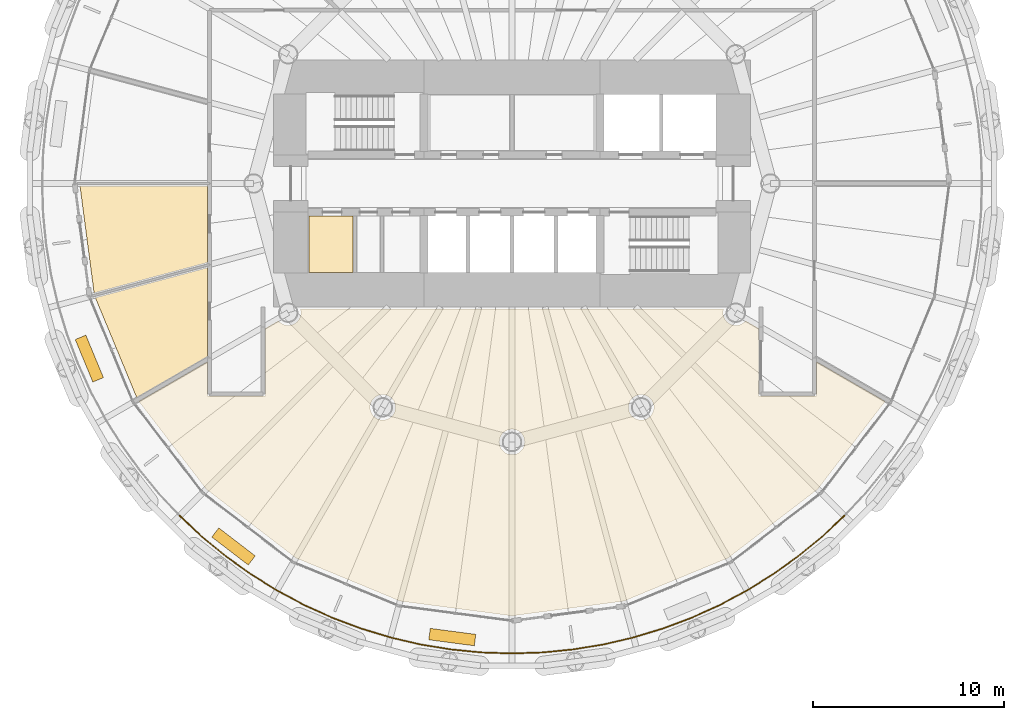
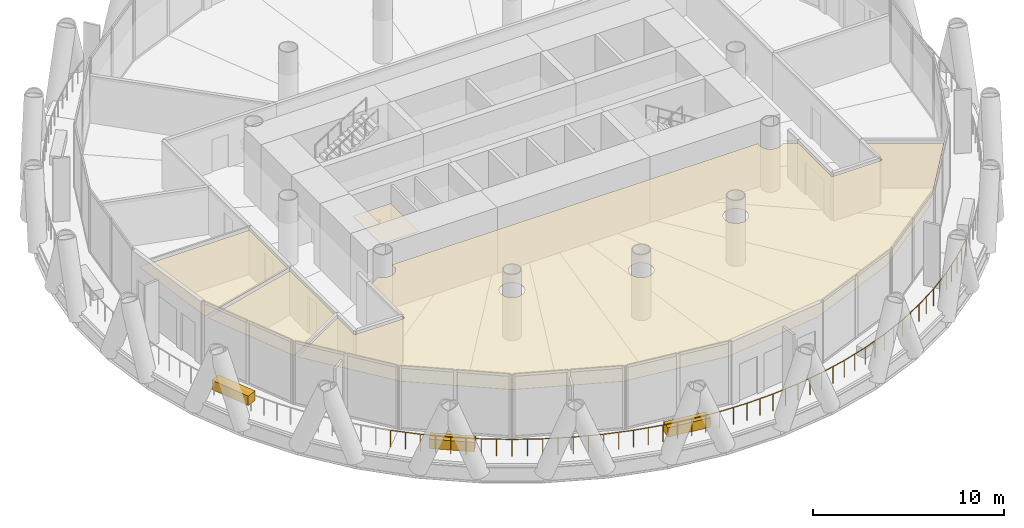
# One storey, part 12 of 15: 7 coverings, 1 railing.
"""IFC4 building model written with IfcOpenShell, lengths in metres."""

from ifc_helpers import new_model, si_unit, direction, frame, origin, origin_2d, place, context, subcontext, project, spatial, polyline, rectangle, circle, outline, extrude, material, layer, layer_set, type_object, element, save


model = new_model("IFC4")

# Units and contexts
model_context = context("Model", 3, precision=1e-05, world=origin(), true_north=direction((0.0, 1.0)))
body_context = subcontext(model_context, "Body", "Model", "MODEL_VIEW")
ifc_project = project(units=[si_unit("LENGTHUNIT", "METRE"), si_unit("AREAUNIT", "SQUARE_METRE"), si_unit("VOLUMEUNIT", "CUBIC_METRE"), si_unit("PLANEANGLEUNIT", "RADIAN"), si_unit("MASSUNIT", "GRAM", prefix="KILO")], contexts=[model_context])

# Site, building, storey
site_placement = place(None, origin())
site = spatial("IfcSite", under=ifc_project, at=site_placement, CompositionType="ELEMENT")
building_placement = place(site_placement, origin())
building = spatial("IfcBuilding", under=site, at=building_placement, Name="Qaws Media Tower", CompositionType="ELEMENT")
storey_placement = place(building_placement, frame((0.0, 0.0, 114.199951171875)))
storey = spatial("IfcBuildingStorey", under=building, at=storey_placement, Name="L25", CompositionType="ELEMENT", Elevation=114.199951171875)

# Railing
ifc_material_1 = material(Name="Stainless steel and glass guard", Category="steel")
railing_type = type_object("IfcRailingType", Name="Balcony guard 1100", PredefinedType="GUARDRAIL", material=ifc_material_1)
railing_placement = place(storey_placement, frame((42.640625, 32.640625, 0.0)))
element("IfcRailing", 1, at=railing_placement, inside=storey, type_object=railing_type, Name="GR1 balcony guard L25-3", PredefinedType="GUARDRAIL", context=body_context, shape_type="SweptSolid", body=[
    extrude(circle(Radius=0.02392578125, at=origin_2d()), frame((0.0, 0.0, 1.076171875), z_axis=(0.729755168358, -0.683708559442, 0.0), x_axis=(0.683708559442, 0.729755168358, 0.0)), (0.0, 0.0, 1.0), 1.6064453125),
    extrude(circle(Radius=0.02392578125, at=origin_2d()), frame((1.17236328125, -1.098388671875, 1.076171875), z_axis=(0.773069548835, -0.634321269282, 0.0), x_axis=(0.634321269282, 0.773069548835, 0.0)), (0.0, 0.0, 1.0), 1.6064453125),
    extrude(circle(Radius=0.02392578125, at=origin_2d()), frame((2.414306640625, -2.117431640625, 1.076171875), z_axis=(0.812849504538, -0.582473761618, 0.0), x_axis=(0.582473761618, 0.812849504538, 0.0)), (0.0, 0.0, 1.0), 1.606689453125),
    extrude(circle(Radius=0.02392578125, at=origin_2d()), frame((3.72021484375, -3.05322265625, 1.076171875), z_axis=(0.849191393384, -0.528085199, 0.0), x_axis=(0.528085199, 0.849191393384, 0.0)), (0.0, 0.0, 1.0), 1.6064453125),
    extrude(circle(Radius=0.02392578125, at=origin_2d()), frame((5.08447265625, -3.901611328125, 1.076171875), z_axis=(0.881906613636, -0.471424145356, 0.0), x_axis=(0.471424145356, 0.881906613636, 0.0)), (0.0, 0.0, 1.0), 1.6064453125),
    extrude(circle(Radius=0.02392578125, at=origin_2d()), frame((6.501220703125, -4.658935546875, 1.076171875), z_axis=(0.910912153474, -0.412600349797, 0.0), x_axis=(0.412600349797, 0.910912153474, 0.0)), (0.0, 0.0, 1.0), 1.6064453125),
    extrude(circle(Radius=0.02392578125, at=origin_2d()), frame((7.964599609375, -5.32177734375, 1.076171875), z_axis=(0.935891249728, -0.352289041388, 0.0), x_axis=(0.352289041388, 0.935891249728, 0.0)), (0.0, 0.0, 1.0), 1.6064453125),
    extrude(circle(Radius=0.02392578125, at=origin_2d()), frame((9.468017578125, -5.8876953125, 1.076171875), z_axis=(0.956947683594, -0.290260453496, 0.0), x_axis=(0.290260453496, 0.956947683594, 0.0)), (0.0, 0.0, 1.0), 1.6064453125),
    extrude(circle(Radius=0.02392578125, at=origin_2d()), frame((11.00537109375, -6.35400390625, 1.076171875), z_axis=(0.973847935236, -0.227200790134, 0.0), x_axis=(0.227200790134, 0.973847935236, 0.0)), (0.0, 0.0, 1.0), 1.6064453125),
    extrude(circle(Radius=0.02392578125, at=origin_2d()), frame((12.56982421875, -6.718994140625, 1.076171875), z_axis=(0.986643298836, -0.162895674781, 0.0), x_axis=(0.162895674781, 0.986643298836, 0.0)), (0.0, 0.0, 1.0), 1.606689453125),
    extrude(circle(Radius=0.02392578125, at=origin_2d()), frame((14.155029296875, -6.980712890625, 1.076171875), z_axis=(0.995183565926, -0.098028924866, 0.0), x_axis=(0.098028924866, 0.995183565926, 0.0)), (0.0, 0.0, 1.0), 1.6064453125),
    extrude(circle(Radius=0.02392578125, at=origin_2d()), frame((15.753662109375, -7.13818359375, 1.076171875), z_axis=(0.999466120383, -0.032672223792, 0.0), x_axis=(0.032672223792, 0.999466120383, 0.0)), (0.0, 0.0, 1.0), 1.606689453125),
    extrude(circle(Radius=0.02392578125, at=origin_2d()), frame((17.359375, -7.190673828125, 1.076171875), z_axis=(0.999466120383, 0.032672223792, 0.0), x_axis=(-0.032672223792, 0.999466120383, 0.0)), (0.0, 0.0, 1.0), 1.606689453125),
    extrude(circle(Radius=0.02392578125, at=origin_2d()), frame((18.965087890625, -7.13818359375, 1.076171875), z_axis=(0.995183565926, 0.098028924866, 0.0), x_axis=(-0.098028924866, 0.995183565926, 0.0)), (0.0, 0.0, 1.0), 1.6064453125),
    extrude(circle(Radius=0.02392578125, at=origin_2d()), frame((20.563720703125, -6.980712890625, 1.076171875), z_axis=(0.986643298836, 0.162895674781, 0.0), x_axis=(-0.162895674781, 0.986643298836, 0.0)), (0.0, 0.0, 1.0), 1.606689453125),
    extrude(circle(Radius=0.02392578125, at=origin_2d()), frame((22.14892578125, -6.718994140625, 1.076171875), z_axis=(0.973847935236, 0.227200790134, 0.0), x_axis=(-0.227200790134, 0.973847935236, 0.0)), (0.0, 0.0, 1.0), 1.6064453125),
    extrude(circle(Radius=0.02392578125, at=origin_2d()), frame((23.71337890625, -6.35400390625, 1.076171875), z_axis=(0.956947683594, 0.290260453496, 0.0), x_axis=(-0.290260453496, 0.956947683594, 0.0)), (0.0, 0.0, 1.0), 1.6064453125),
    extrude(circle(Radius=0.02392578125, at=origin_2d()), frame((25.250732421875, -5.8876953125, 1.076171875), z_axis=(0.935891249728, 0.352289041388, 0.0), x_axis=(-0.352289041388, 0.935891249728, 0.0)), (0.0, 0.0, 1.0), 1.6064453125),
    extrude(circle(Radius=0.02392578125, at=origin_2d()), frame((26.754150390625, -5.32177734375, 1.076171875), z_axis=(0.910912153474, 0.412600349797, 0.0), x_axis=(-0.412600349797, 0.910912153474, 0.0)), (0.0, 0.0, 1.0), 1.6064453125),
    extrude(circle(Radius=0.02392578125, at=origin_2d()), frame((28.217529296875, -4.658935546875, 1.076171875), z_axis=(0.881906613636, 0.471424145356, 0.0), x_axis=(-0.471424145356, 0.881906613636, 0.0)), (0.0, 0.0, 1.0), 1.6064453125),
    extrude(circle(Radius=0.02392578125, at=origin_2d()), frame((29.63427734375, -3.901611328125, 1.076171875), z_axis=(0.849191393384, 0.528085199, 0.0), x_axis=(-0.528085199, 0.849191393384, 0.0)), (0.0, 0.0, 1.0), 1.6064453125),
    extrude(circle(Radius=0.02392578125, at=origin_2d()), frame((30.99853515625, -3.05322265625, 1.076171875), z_axis=(0.812849504538, 0.582473761618, 0.0), x_axis=(-0.582473761618, 0.812849504538, 0.0)), (0.0, 0.0, 1.0), 1.606689453125),
    extrude(circle(Radius=0.02392578125, at=origin_2d()), frame((32.304443359375, -2.117431640625, 1.076171875), z_axis=(0.773069548835, 0.634321269282, 0.0), x_axis=(-0.634321269282, 0.773069548835, 0.0)), (0.0, 0.0, 1.0), 1.6064453125),
    extrude(circle(Radius=0.02392578125, at=origin_2d()), frame((33.54638671875, -1.098388671875, 1.076171875), z_axis=(0.729755168358, 0.683708559442, 0.0), x_axis=(-0.683708559442, 0.729755168358, 0.0)), (0.0, 0.0, 1.0), 1.6064453125),
    extrude(circle(Radius=0.02099609375, at=origin_2d()), origin(), (0.0, 0.0, 1.0), 1.052001953125),
    extrude(circle(Radius=0.02099609375, at=origin_2d()), frame((0.586181640625, -0.54931640625, 0.0)), (0.0, 0.0, 1.0), 1.052001953125),
    extrude(circle(Radius=0.02099609375, at=origin_2d()), frame((1.17236328125, -1.098388671875, 0.0)), (0.0, 0.0, 1.0), 1.052001953125),
    extrude(circle(Radius=0.02099609375, at=origin_2d()), frame((1.79345703125, -1.60791015625, 0.0)), (0.0, 0.0, 1.0), 1.052001953125),
    extrude(circle(Radius=0.02099609375, at=origin_2d()), frame((2.414306640625, -2.117431640625, 0.0)), (0.0, 0.0, 1.0), 1.052001953125),
    extrude(circle(Radius=0.02099609375, at=origin_2d()), frame((3.0673828125, -2.58544921875, 0.0)), (0.0, 0.0, 1.0), 1.052001953125),
    extrude(circle(Radius=0.02099609375, at=origin_2d()), frame((3.72021484375, -3.05322265625, 0.0)), (0.0, 0.0, 1.0), 1.052001953125),
    extrude(circle(Radius=0.02099609375, at=origin_2d()), frame((4.40234375, -3.4775390625, 0.0)), (0.0, 0.0, 1.0), 1.052001953125),
    extrude(circle(Radius=0.02099609375, at=origin_2d()), frame((5.08447265625, -3.901611328125, 0.0)), (0.0, 0.0, 1.0), 1.052001953125),
    extrude(circle(Radius=0.02099609375, at=origin_2d()), frame((5.79296875, -4.2802734375, 0.0)), (0.0, 0.0, 1.0), 1.052001953125),
    extrude(circle(Radius=0.02099609375, at=origin_2d()), frame((6.501220703125, -4.658935546875, 0.0)), (0.0, 0.0, 1.0), 1.052001953125),
    extrude(circle(Radius=0.02099609375, at=origin_2d()), frame((7.23291015625, -4.990234375, 0.0)), (0.0, 0.0, 1.0), 1.052001953125),
    extrude(circle(Radius=0.02099609375, at=origin_2d()), frame((7.964599609375, -5.32177734375, 0.0)), (0.0, 0.0, 1.0), 1.052001953125),
    extrude(circle(Radius=0.02099609375, at=origin_2d()), frame((8.71630859375, -5.604736328125, 0.0)), (0.0, 0.0, 1.0), 1.052001953125),
    extrude(circle(Radius=0.02099609375, at=origin_2d()), frame((9.468017578125, -5.8876953125, 0.0)), (0.0, 0.0, 1.0), 1.052001953125),
    extrude(circle(Radius=0.02099609375, at=origin_2d()), frame((10.23681640625, -6.120849609375, 0.0)), (0.0, 0.0, 1.0), 1.052001953125),
    extrude(circle(Radius=0.02099609375, at=origin_2d()), frame((11.00537109375, -6.35400390625, 0.0)), (0.0, 0.0, 1.0), 1.052001953125),
    extrude(circle(Radius=0.02099609375, at=origin_2d()), frame((11.78759765625, -6.53662109375, 0.0)), (0.0, 0.0, 1.0), 1.052001953125),
    extrude(circle(Radius=0.02099609375, at=origin_2d()), frame((12.56982421875, -6.718994140625, 0.0)), (0.0, 0.0, 1.0), 1.052001953125),
    extrude(circle(Radius=0.02099609375, at=origin_2d()), frame((13.3623046875, -6.849853515625, 0.0)), (0.0, 0.0, 1.0), 1.052001953125),
    extrude(circle(Radius=0.02099609375, at=origin_2d()), frame((14.155029296875, -6.980712890625, 0.0)), (0.0, 0.0, 1.0), 1.052001953125),
    extrude(circle(Radius=0.02099609375, at=origin_2d()), frame((14.954345703125, -7.0595703125, 0.0)), (0.0, 0.0, 1.0), 1.052001953125),
    extrude(circle(Radius=0.02099609375, at=origin_2d()), frame((15.753662109375, -7.13818359375, 0.0)), (0.0, 0.0, 1.0), 1.052001953125),
    extrude(circle(Radius=0.02099609375, at=origin_2d()), frame((16.556640625, -7.16455078125, 0.0)), (0.0, 0.0, 1.0), 1.052001953125),
    extrude(circle(Radius=0.02099609375, at=origin_2d()), frame((17.359375, -7.190673828125, 0.0)), (0.0, 0.0, 1.0), 1.052001953125),
    extrude(circle(Radius=0.02099609375, at=origin_2d()), frame((18.162109375, -7.16455078125, 0.0)), (0.0, 0.0, 1.0), 1.052001953125),
    extrude(circle(Radius=0.02099609375, at=origin_2d()), frame((18.965087890625, -7.13818359375, 0.0)), (0.0, 0.0, 1.0), 1.052001953125),
    extrude(circle(Radius=0.02099609375, at=origin_2d()), frame((19.764404296875, -7.0595703125, 0.0)), (0.0, 0.0, 1.0), 1.052001953125),
    extrude(circle(Radius=0.02099609375, at=origin_2d()), frame((20.563720703125, -6.980712890625, 0.0)), (0.0, 0.0, 1.0), 1.052001953125),
    extrude(circle(Radius=0.02099609375, at=origin_2d()), frame((21.3564453125, -6.849853515625, 0.0)), (0.0, 0.0, 1.0), 1.052001953125),
    extrude(circle(Radius=0.02099609375, at=origin_2d()), frame((22.14892578125, -6.718994140625, 0.0)), (0.0, 0.0, 1.0), 1.052001953125),
    extrude(circle(Radius=0.02099609375, at=origin_2d()), frame((22.93115234375, -6.53662109375, 0.0)), (0.0, 0.0, 1.0), 1.052001953125),
    extrude(circle(Radius=0.02099609375, at=origin_2d()), frame((23.71337890625, -6.35400390625, 0.0)), (0.0, 0.0, 1.0), 1.052001953125),
    extrude(circle(Radius=0.02099609375, at=origin_2d()), frame((24.48193359375, -6.120849609375, 0.0)), (0.0, 0.0, 1.0), 1.052001953125),
    extrude(circle(Radius=0.02099609375, at=origin_2d()), frame((25.250732421875, -5.8876953125, 0.0)), (0.0, 0.0, 1.0), 1.052001953125),
    extrude(circle(Radius=0.02099609375, at=origin_2d()), frame((26.00244140625, -5.604736328125, 0.0)), (0.0, 0.0, 1.0), 1.052001953125),
    extrude(circle(Radius=0.02099609375, at=origin_2d()), frame((26.754150390625, -5.32177734375, 0.0)), (0.0, 0.0, 1.0), 1.052001953125),
    extrude(circle(Radius=0.02099609375, at=origin_2d()), frame((27.48583984375, -4.990234375, 0.0)), (0.0, 0.0, 1.0), 1.052001953125),
    extrude(circle(Radius=0.02099609375, at=origin_2d()), frame((28.217529296875, -4.658935546875, 0.0)), (0.0, 0.0, 1.0), 1.052001953125),
    extrude(circle(Radius=0.02099609375, at=origin_2d()), frame((28.92578125, -4.2802734375, 0.0)), (0.0, 0.0, 1.0), 1.052001953125),
    extrude(circle(Radius=0.02099609375, at=origin_2d()), frame((29.63427734375, -3.901611328125, 0.0)), (0.0, 0.0, 1.0), 1.052001953125),
    extrude(circle(Radius=0.02099609375, at=origin_2d()), frame((30.31640625, -3.4775390625, 0.0)), (0.0, 0.0, 1.0), 1.052001953125),
    extrude(circle(Radius=0.02099609375, at=origin_2d()), frame((30.99853515625, -3.05322265625, 0.0)), (0.0, 0.0, 1.0), 1.052001953125),
    extrude(circle(Radius=0.02099609375, at=origin_2d()), frame((31.6513671875, -2.58544921875, 0.0)), (0.0, 0.0, 1.0), 1.052001953125),
    extrude(circle(Radius=0.02099609375, at=origin_2d()), frame((32.304443359375, -2.117431640625, 0.0)), (0.0, 0.0, 1.0), 1.052001953125),
    extrude(circle(Radius=0.02099609375, at=origin_2d()), frame((32.92529296875, -1.60791015625, 0.0)), (0.0, 0.0, 1.0), 1.052001953125),
    extrude(circle(Radius=0.02099609375, at=origin_2d()), frame((33.54638671875, -1.098388671875, 0.0)), (0.0, 0.0, 1.0), 1.052001953125),
    extrude(circle(Radius=0.02099609375, at=origin_2d()), frame((34.132568359375, -0.54931640625, 0.0)), (0.0, 0.0, 1.0), 1.052001953125),
    extrude(circle(Radius=0.02099609375, at=origin_2d()), frame((34.71875, 0.0, 0.0)), (0.0, 0.0, 1.0), 1.052001953125),
])

# Coverings
ifc_material_2 = material(Name="600 x 600 mineral fibre tiles in exposed grid, suspended", Category="mineral fibre")
ifc_layer_1 = layer(ifc_material_2, 0.02001953125)
ifc_layer_set_1 = layer_set([ifc_layer_1], Name="Mineral fibre tile ceiling 20")
covering_type_1 = type_object("IfcCoveringType", Name="Mineral fibre tile ceiling 20", PredefinedType="CEILING", material=ifc_layer_set_1)
covering_1_placement = place(storey_placement, frame((0.0, 0.0, 2.85009765625)))
element("IfcCovering", 2, at=covering_1_placement, inside=storey, type_object=covering_type_1, Name="CL1 ceiling L25-05 Office", PredefinedType="CEILING", context=body_context, shape_type="SweptSolid", body=[
    extrude(outline(polyline([(37.4296875, 49.887451171875), (44.08740234375, 49.887451171875), (44.08740234375, 45.852783203125), (38.16943359375, 44.26708984375), (37.4296875, 49.887451171875)])), origin(), (0.0, 0.0, 1.0), 0.02001953125),
])
covering_2_placement = place(storey_placement, frame((0.0, 0.0, 2.85009765625)))
element("IfcCovering", 3, at=covering_2_placement, inside=storey, type_object=covering_type_1, Name="CL1 ceiling L25-06 Office", PredefinedType="CEILING", context=body_context, shape_type="SweptSolid", body=[
    extrude(outline(polyline([(38.227783203125, 44.0498046875), (44.08740234375, 45.619873046875), (44.08740234375, 40.94287109375), (40.397216796875, 38.812255859375), (38.227783203125, 44.0498046875)])), origin(), (0.0, 0.0, 1.0), 0.02001953125),
])
covering_3_placement = place(storey_placement, frame((0.0, 0.0, 2.85009765625)))
element("IfcCovering", 4, at=covering_3_placement, inside=storey, type_object=covering_type_1, Name="CL1 ceiling L25-07 Sales office", PredefinedType="CEILING", context=body_context, shape_type="SweptSolid", body=[
    extrude(outline(polyline([(72.887451171875, 38.887451171875), (75.91259765625, 38.887451171875), (75.91259765625, 40.68310546875), (79.490234375, 38.617431640625), (75.97021484375, 34.02978515625), (71.29248046875, 30.440673828125), (65.845458984375, 28.184326171875), (60.0, 27.414794921875), (54.154541015625, 28.184326171875), (48.70751953125, 30.440673828125), (44.02978515625, 34.02978515625), (40.509765625, 38.617431640625), (44.08740234375, 40.68310546875), (44.08740234375, 38.887451171875), (47.112548828125, 38.887451171875), (47.112548828125, 42.429443359375), (47.795654296875, 42.823974609375), (47.836181640625, 42.777587890625), (47.902099609375, 42.719970703125), (47.974609375, 42.67138671875), (48.052978515625, 42.6328125), (48.1357421875, 42.604736328125), (48.221435546875, 42.587646484375), (48.30859375, 42.58203125), (48.395751953125, 42.587646484375), (48.4814453125, 42.604736328125), (48.564208984375, 42.6328125), (48.642578125, 42.67138671875), (48.71533203125, 42.719970703125), (48.781005859375, 42.777587890625), (48.838623046875, 42.84326171875), (48.88720703125, 42.916015625), (48.92578125, 42.994384765625), (48.953857421875, 43.0771484375), (48.970947265625, 43.162841796875), (48.976806640625, 43.25), (48.970947265625, 43.337158203125), (48.953857421875, 43.4228515625), (48.948974609375, 43.4375), (71.051025390625, 43.4375), (71.046142578125, 43.4228515625), (71.029052734375, 43.337158203125), (71.023193359375, 43.25), (71.029052734375, 43.162841796875), (71.046142578125, 43.0771484375), (71.07421875, 42.994384765625), (71.11279296875, 42.916015625), (71.161376953125, 42.84326171875), (71.218994140625, 42.777587890625), (71.28466796875, 42.719970703125), (71.357421875, 42.67138671875), (71.435791015625, 42.6328125), (71.5185546875, 42.604736328125), (71.604248046875, 42.587646484375), (71.69140625, 42.58203125), (71.778564453125, 42.587646484375), (71.8642578125, 42.604736328125), (71.947021484375, 42.6328125), (72.025390625, 42.67138671875), (72.097900390625, 42.719970703125), (72.163818359375, 42.777587890625), (72.204345703125, 42.823974609375), (72.887451171875, 42.429443359375), (72.887451171875, 38.887451171875)]), holes=[polyline([(53.895263671875, 38.1357421875), (53.912353515625, 38.221435546875), (53.91796875, 38.30859375), (53.912353515625, 38.395751953125), (53.895263671875, 38.4814453125), (53.8671875, 38.564208984375), (53.82861328125, 38.642578125), (53.780029296875, 38.71533203125), (53.722412109375, 38.781005859375), (53.65673828125, 38.838623046875), (53.583984375, 38.88720703125), (53.505615234375, 38.92578125), (53.4228515625, 38.953857421875), (53.337158203125, 38.970947265625), (53.25, 38.976806640625), (53.162841796875, 38.970947265625), (53.0771484375, 38.953857421875), (52.994384765625, 38.92578125), (52.916015625, 38.88720703125), (52.84326171875, 38.838623046875), (52.777587890625, 38.781005859375), (52.719970703125, 38.71533203125), (52.67138671875, 38.642578125), (52.6328125, 38.564208984375), (52.604736328125, 38.4814453125), (52.587646484375, 38.395751953125), (52.58203125, 38.30859375), (52.587646484375, 38.221435546875), (52.604736328125, 38.1357421875), (52.6328125, 38.052978515625), (52.67138671875, 37.974609375), (52.719970703125, 37.902099609375), (52.777587890625, 37.836181640625), (52.84326171875, 37.77880859375), (52.916015625, 37.730224609375), (52.994384765625, 37.69140625), (53.0771484375, 37.663330078125), (53.162841796875, 37.646484375), (53.25, 37.640625), (53.337158203125, 37.646484375), (53.4228515625, 37.663330078125), (53.505615234375, 37.69140625), (53.583984375, 37.730224609375), (53.65673828125, 37.77880859375), (53.722412109375, 37.836181640625), (53.780029296875, 37.902099609375), (53.82861328125, 37.974609375), (53.8671875, 38.052978515625), (53.895263671875, 38.1357421875)]), polyline([(60.645263671875, 36.3271484375), (60.662353515625, 36.412841796875), (60.66796875, 36.5), (60.662353515625, 36.587158203125), (60.645263671875, 36.6728515625), (60.6171875, 36.755615234375), (60.57861328125, 36.833984375), (60.530029296875, 36.90673828125), (60.472412109375, 36.972412109375), (60.40673828125, 37.030029296875), (60.333984375, 37.07861328125), (60.255615234375, 37.1171875), (60.1728515625, 37.145263671875), (60.087158203125, 37.162353515625), (60.0, 37.16796875), (59.912841796875, 37.162353515625), (59.8271484375, 37.145263671875), (59.744384765625, 37.1171875), (59.666015625, 37.07861328125), (59.59326171875, 37.030029296875), (59.527587890625, 36.972412109375), (59.469970703125, 36.90673828125), (59.42138671875, 36.833984375), (59.3828125, 36.755615234375), (59.354736328125, 36.6728515625), (59.337646484375, 36.587158203125), (59.33203125, 36.5), (59.337646484375, 36.412841796875), (59.354736328125, 36.3271484375), (59.3828125, 36.244384765625), (59.42138671875, 36.166015625), (59.469970703125, 36.09326171875), (59.527587890625, 36.027587890625), (59.59326171875, 35.969970703125), (59.666015625, 35.92138671875), (59.744384765625, 35.8828125), (59.8271484375, 35.854736328125), (59.912841796875, 35.837646484375), (60.0, 35.83203125), (60.087158203125, 35.837646484375), (60.1728515625, 35.854736328125), (60.255615234375, 35.8828125), (60.333984375, 35.92138671875), (60.40673828125, 35.969970703125), (60.472412109375, 36.027587890625), (60.530029296875, 36.09326171875), (60.57861328125, 36.166015625), (60.6171875, 36.244384765625), (60.645263671875, 36.3271484375)]), polyline([(67.3671875, 38.052978515625), (67.395263671875, 38.1357421875), (67.412353515625, 38.221435546875), (67.41796875, 38.30859375), (67.412353515625, 38.395751953125), (67.395263671875, 38.4814453125), (67.3671875, 38.564208984375), (67.32861328125, 38.642578125), (67.280029296875, 38.71533203125), (67.222412109375, 38.781005859375), (67.15673828125, 38.838623046875), (67.083984375, 38.88720703125), (67.005615234375, 38.92578125), (66.9228515625, 38.953857421875), (66.837158203125, 38.970947265625), (66.75, 38.976806640625), (66.662841796875, 38.970947265625), (66.5771484375, 38.953857421875), (66.494384765625, 38.92578125), (66.416015625, 38.88720703125), (66.34326171875, 38.838623046875), (66.277587890625, 38.781005859375), (66.219970703125, 38.71533203125), (66.17138671875, 38.642578125), (66.1328125, 38.564208984375), (66.104736328125, 38.4814453125), (66.087646484375, 38.395751953125), (66.08203125, 38.30859375), (66.087646484375, 38.221435546875), (66.104736328125, 38.1357421875), (66.1328125, 38.052978515625), (66.17138671875, 37.974609375), (66.219970703125, 37.902099609375), (66.277587890625, 37.836181640625), (66.34326171875, 37.77880859375), (66.416015625, 37.730224609375), (66.494384765625, 37.69140625), (66.5771484375, 37.663330078125), (66.662841796875, 37.646484375), (66.75, 37.640625), (66.837158203125, 37.646484375), (66.9228515625, 37.663330078125), (67.005615234375, 37.69140625), (67.083984375, 37.730224609375), (67.15673828125, 37.77880859375), (67.222412109375, 37.836181640625), (67.280029296875, 37.902099609375), (67.32861328125, 37.974609375), (67.3671875, 38.052978515625)])]), origin(), (0.0, 0.0, 1.0), 0.02001953125),
])
ifc_material_3 = material(Name="Precast concrete planter with trailing planting", Category="concrete")
ifc_layer_2 = layer(ifc_material_3, 0.60009765625)
ifc_layer_set_2 = layer_set([ifc_layer_2], Name="Planter 2400x600")
covering_type_2 = type_object("IfcCoveringType", Name="Planter 2400x600", PredefinedType="USERDEFINED", material=ifc_layer_set_2)
for number, where, z_axis, x_axis, name in (
    (5, (37.919189453125, 40.853759765625, 0.0), (0.0, 0.0, 1.0), (0.382683432365, -0.923879532511, 0.0), "PL1 balcony planter L25-07"),
    (6, (45.45068359375, 31.038818359375, 0.0), (0.0, 0.0, 1.0), (0.793353340291, -0.608761429009, 0.0), "PL1 balcony planter L25-08"),
    (7, (56.88037109375, 26.304443359375, 0.0), (0.0, 0.0, 1.0), (0.991444861374, -0.13052619222, 0.0), "PL1 balcony planter L25-09"),
):
    element("IfcCovering", number, at=place(storey_placement, frame(where, z_axis=z_axis, x_axis=x_axis)), inside=storey, type_object=covering_type_2, Name=name, ObjectType="PLANTER", PredefinedType="USERDEFINED", context=body_context, shape_type="SweptSolid", body=[
        extrude(rectangle(XDim=2.39990234375, YDim=0.60009765625, at=origin_2d()), origin(), (0.0, 0.0, 1.0), 0.60009765625),
    ])
ifc_material_4 = material(Name="Two layers 12.5 moisture-resistant plasterboard on suspended metal furring", Category="gypsum")
ifc_layer_3 = layer(ifc_material_4, 0.02490234375)
ifc_layer_set_3 = layer_set([ifc_layer_3], Name="Plasterboard ceiling 25")
covering_type_3 = type_object("IfcCoveringType", Name="Plasterboard ceiling 25", PredefinedType="CEILING", material=ifc_layer_set_3)
covering_4_placement = place(storey_placement, frame((0.0, 0.0, 2.85009765625)))
element("IfcCovering", 8, at=covering_4_placement, inside=storey, type_object=covering_type_3, Name="CL2 ceiling L25-C04 Accessible WC", PredefinedType="CEILING", context=body_context, shape_type="SweptSolid", body=[
    extrude(outline(polyline([(49.39990234375, 45.35009765625), (49.39990234375, 48.300048828125), (51.699951171875, 48.300048828125), (51.699951171875, 45.35009765625), (49.39990234375, 45.35009765625)])), origin(), (0.0, 0.0, 1.0), 0.02490234375),
])

save(model, "model.ifc")
